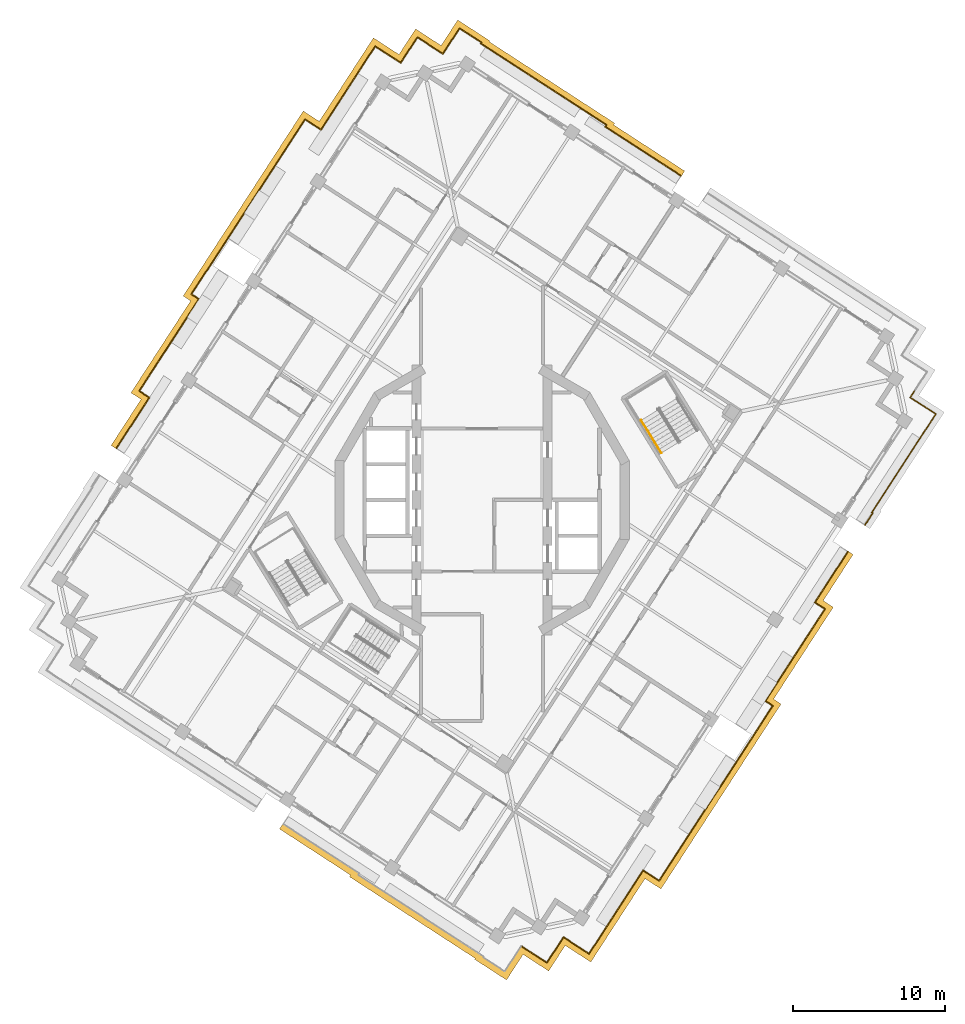
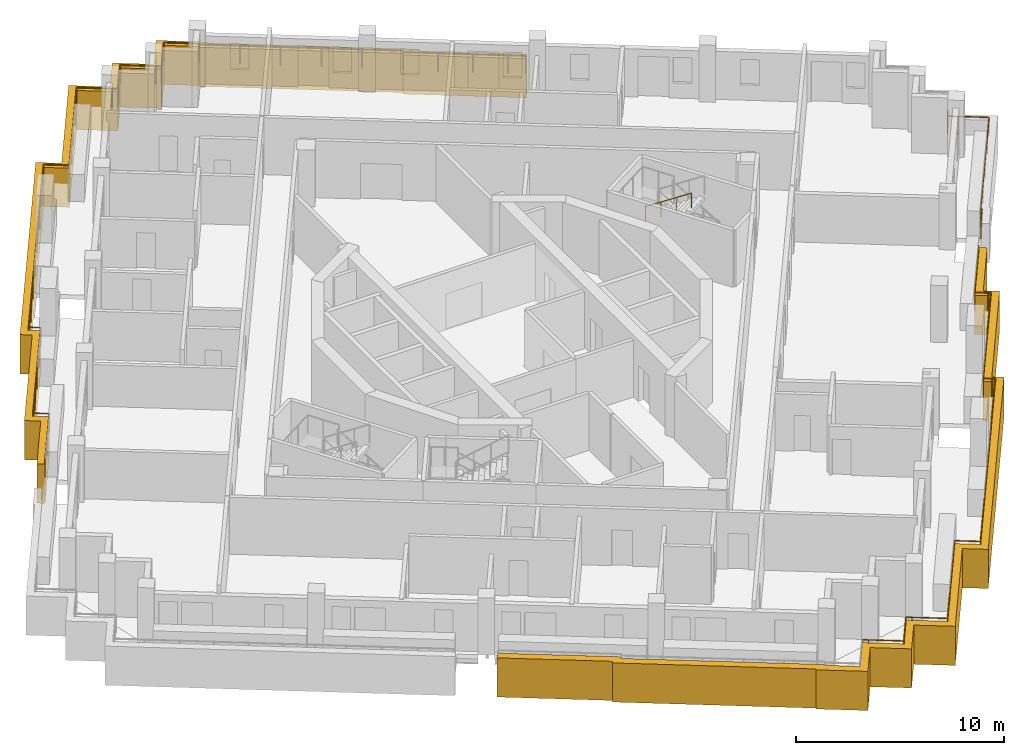
# One storey, part 13 of 15: 5 railings, 2 coverings.
"""IFC4 building model written with IfcOpenShell, lengths in metres."""

from ifc_helpers import new_model, si_unit, direction, frame, origin, origin_2d, place, context, subcontext, project, spatial, polyline, circle, outline, extrude, material, type_object, element, save


model = new_model("IFC4")

# Units and contexts
model_context = context("Model", 3, precision=1e-05, world=origin(), true_north=direction((0.0, 1.0)))
body_context = subcontext(model_context, "Body", "Model", "MODEL_VIEW")
ifc_project = project(units=[si_unit("LENGTHUNIT", "METRE"), si_unit("AREAUNIT", "SQUARE_METRE"), si_unit("VOLUMEUNIT", "CUBIC_METRE"), si_unit("PLANEANGLEUNIT", "RADIAN"), si_unit("MASSUNIT", "GRAM", prefix="KILO")], contexts=[model_context])

# Site, building, storey
site_placement = place(None, origin())
site = spatial("IfcSite", under=ifc_project, at=site_placement, CompositionType="ELEMENT")
building_placement = place(site_placement, origin())
building = spatial("IfcBuilding", under=site, at=building_placement, Name="Cantera Rosa Tower", CompositionType="ELEMENT")
storey_placement = place(building_placement, frame((0.0, 0.0, 261.300048828125)))
storey = spatial("IfcBuildingStorey", under=building, at=storey_placement, Name="L58", CompositionType="ELEMENT", Elevation=261.300048828125)

# Railings
ifc_material_1 = material(Name="Stainless steel and laminated glass", Category="steel")
railing_type_1 = type_object("IfcRailingType", Name="GUARD 1100", PredefinedType="BALUSTRADE", material=ifc_material_1)
railing_1_placement = place(storey_placement, frame((-5.338134765625, 28.68505859375, 0.0)))
element("IfcRailing", 1, at=railing_1_placement, inside=storey, type_object=railing_type_1, Name="GUARD L58-3", PredefinedType="BALUSTRADE", context=body_context, shape_type="SweptSolid", body=[
    extrude(circle(Radius=0.030029296875, at=origin_2d()), frame((0.0, 0.0, 1.070068359375), z_axis=(0.5443304008, 0.838870916629, 0.0), x_axis=(-0.838870916629, 0.5443304008, 0.0)), (0.0, 0.0, 1.0), 0.300048828125),
    extrude(circle(Radius=0.030029296875, at=origin_2d()), frame((0.163330078125, 0.251708984375, 1.070068359375), z_axis=(0.544685462014, 0.838640416073, 0.0), x_axis=(-0.838640416073, 0.544685462014, 0.0)), (0.0, 0.0, 1.0), 1.7001953125),
    extrude(circle(Radius=0.030029296875, at=origin_2d()), frame((1.08935546875, 1.677490234375, 1.070068359375), z_axis=(0.83859780397, -0.544751065329, 0.0), x_axis=(0.544751065329, 0.83859780397, 0.0)), (0.0, 0.0, 1.0), 1.699951171875),
    extrude(circle(Radius=0.030029296875, at=origin_2d()), frame((2.514892578125, 0.75146484375, 1.070068359375), z_axis=(0.838870916629, -0.5443304008, 0.0), x_axis=(0.5443304008, 0.838870916629, 0.0)), (0.0, 0.0, 1.0), 0.300048828125),
    extrude(circle(Radius=0.030029296875, at=origin_2d()), frame((2.7666015625, 0.588134765625, 1.070068359375), z_axis=(0.54468796124, 0.838638792855, 0.0), x_axis=(-0.838638792855, 0.54468796124, 0.0)), (0.0, 0.0, 1.0), 2.0),
    extrude(circle(Radius=0.030029296875, at=origin_2d()), frame((3.85595703125, 2.265380859375, 1.070068359375), z_axis=(0.838663412569, -0.54465005317, 0.0), x_axis=(0.54465005317, 0.838663412569, 0.0)), (0.0, 0.0, 1.0), 1.69970703125),
    extrude(circle(Radius=0.030029296875, at=origin_2d()), frame((5.281494140625, 1.339599609375, 1.070068359375), z_axis=(-0.54339569987, -0.839476690184, 0.0), x_axis=(0.839476690184, -0.54339569987, 0.0)), (0.0, 0.0, 1.0), 0.070068359375),
    extrude(circle(Radius=0.030029296875, at=origin_2d()), frame((5.243408203125, 1.28076171875, 1.070068359375), z_axis=(0.838672787013, -0.544635617935, 0.0), x_axis=(0.544635617935, 0.838672787013, 0.0)), (0.0, 0.0, 1.0), 9.830078125),
    extrude(circle(Radius=0.030029296875, at=origin_2d()), frame((13.487548828125, -4.072998046875, 1.070068359375), z_axis=(-0.545120486239, -0.83835771332, 0.0), x_axis=(0.83835771332, -0.545120486239, 0.0)), (0.0, 0.0, 1.0), 0.1298828125),
    extrude(circle(Radius=0.030029296875, at=origin_2d()), frame((13.416748046875, -4.181884765625, 1.070068359375), z_axis=(0.838664674471, -0.544648110062, 0.0), x_axis=(0.544648110062, 0.838664674471, 0.0)), (0.0, 0.0, 1.0), 5.0703125),
    extrude(circle(Radius=0.030029296875, at=origin_2d()), frame((17.6689453125, -6.943359375, 1.070068359375), z_axis=(0.838725681888, -0.544554157584, 0.0), x_axis=(0.544554157584, 0.838725681888, 0.0)), (0.0, 0.0, 1.0), 0.869873046875),
    extrude(circle(Radius=0.02490234375, at=origin_2d()), origin(), (0.0, 0.0, 1.0), 1.0400390625),
    extrude(circle(Radius=0.02490234375, at=origin_2d()), frame((0.163330078125, 0.251708984375, 0.0)), (0.0, 0.0, 1.0), 1.0400390625),
    extrude(circle(Radius=0.02490234375, at=origin_2d()), frame((1.08935546875, 1.677490234375, 0.0)), (0.0, 0.0, 1.0), 1.0400390625),
    extrude(circle(Radius=0.02490234375, at=origin_2d()), frame((2.514892578125, 0.75146484375, 0.0)), (0.0, 0.0, 1.0), 1.0400390625),
    extrude(circle(Radius=0.02490234375, at=origin_2d()), frame((2.7666015625, 0.588134765625, 0.0)), (0.0, 0.0, 1.0), 1.0400390625),
    extrude(circle(Radius=0.02490234375, at=origin_2d()), frame((3.85595703125, 2.265380859375, 0.0)), (0.0, 0.0, 1.0), 1.0400390625),
    extrude(circle(Radius=0.02490234375, at=origin_2d()), frame((5.281494140625, 1.339599609375, 0.0)), (0.0, 0.0, 1.0), 1.0400390625),
    extrude(circle(Radius=0.02490234375, at=origin_2d()), frame((5.243408203125, 1.28076171875, 0.0)), (0.0, 0.0, 1.0), 1.0400390625),
    extrude(circle(Radius=0.02490234375, at=origin_2d()), frame((6.892333984375, 0.2099609375, 0.0)), (0.0, 0.0, 1.0), 1.0400390625),
    extrude(circle(Radius=0.02490234375, at=origin_2d()), frame((8.541015625, -0.86083984375, 0.0)), (0.0, 0.0, 1.0), 1.0400390625),
    extrude(circle(Radius=0.02490234375, at=origin_2d()), frame((10.18994140625, -1.931396484375, 0.0)), (0.0, 0.0, 1.0), 1.0400390625),
    extrude(circle(Radius=0.02490234375, at=origin_2d()), frame((11.838623046875, -3.002197265625, 0.0)), (0.0, 0.0, 1.0), 1.0400390625),
    extrude(circle(Radius=0.02490234375, at=origin_2d()), frame((13.487548828125, -4.072998046875, 0.0)), (0.0, 0.0, 1.0), 1.0400390625),
    extrude(circle(Radius=0.02490234375, at=origin_2d()), frame((13.416748046875, -4.181884765625, 0.0)), (0.0, 0.0, 1.0), 1.0400390625),
    extrude(circle(Radius=0.02490234375, at=origin_2d()), frame((14.834228515625, -5.102294921875, 0.0)), (0.0, 0.0, 1.0), 1.0400390625),
    extrude(circle(Radius=0.02490234375, at=origin_2d()), frame((16.25146484375, -6.02294921875, 0.0)), (0.0, 0.0, 1.0), 1.0400390625),
    extrude(circle(Radius=0.02490234375, at=origin_2d()), frame((17.6689453125, -6.943359375, 0.0)), (0.0, 0.0, 1.0), 1.0400390625),
    extrude(circle(Radius=0.02490234375, at=origin_2d()), frame((18.3984375, -7.4169921875, 0.0)), (0.0, 0.0, 1.0), 1.0400390625),
])
railing_2_placement = place(storey_placement, frame((-24.00390625, 3.37841796875, 0.0)))
element("IfcRailing", 2, at=railing_2_placement, inside=storey, type_object=railing_type_1, Name="GUARD L58-4", PredefinedType="BALUSTRADE", context=body_context, shape_type="SweptSolid", body=[
    extrude(circle(Radius=0.030029296875, at=origin_2d()), frame((0.0, 0.0, 1.070068359375), z_axis=(0.544618301385, 0.838684032158, 0.0), x_axis=(-0.838684032158, 0.544618301385, 0.0)), (0.0, 0.0, 1.0), 3.9892578125),
    extrude(circle(Radius=0.030029296875, at=origin_2d()), frame((2.172607421875, 3.345703125, 1.070068359375), z_axis=(-0.838697885351, 0.54459696759, 0.0), x_axis=(-0.54459696759, -0.838697885351, 0.0)), (0.0, 0.0, 1.0), 0.78955078125),
    extrude(circle(Radius=0.030029296875, at=origin_2d()), frame((1.510498046875, 3.775634765625, 1.070068359375), z_axis=(0.544649472572, 0.838663789624, 0.0), x_axis=(-0.838663789624, 0.544649472572, 0.0)), (0.0, 0.0, 1.0), 7.192626953125),
    extrude(circle(Radius=0.030029296875, at=origin_2d()), frame((5.427978515625, 9.807861328125, 1.070068359375), z_axis=(-0.838766340753, 0.544491529429, 0.0), x_axis=(-0.544491529429, -0.838766340753, 0.0)), (0.0, 0.0, 1.0), 0.58740234375),
    extrude(circle(Radius=0.030029296875, at=origin_2d()), frame((4.935302734375, 10.127685546875, 1.070068359375), z_axis=(0.544641318497, 0.838669085031, 0.0), x_axis=(-0.838669085031, 0.544641318497, 0.0)), (0.0, 0.0, 1.0), 13.676513671875),
    extrude(circle(Radius=0.030029296875, at=origin_2d()), frame((12.384033203125, 21.59765625, 1.070068359375), z_axis=(0.838729508859, -0.544548263214, 0.0), x_axis=(0.544548263214, 0.838729508859, 0.0)), (0.0, 0.0, 1.0), 1.248046875),
    extrude(circle(Radius=0.030029296875, at=origin_2d()), frame((13.430908203125, 20.91796875, 1.070068359375), z_axis=(0.544643753579, 0.838667503655, 0.0), x_axis=(-0.838667503655, 0.544643753579, 0.0)), (0.0, 0.0, 1.0), 4.831787109375),
    extrude(circle(Radius=0.030029296875, at=origin_2d()), frame((16.0625, 24.97021484375, 1.070068359375), z_axis=(0.544584451758, 0.838706012202, 0.0), x_axis=(-0.838706012202, 0.544584451758, 0.0)), (0.0, 0.0, 1.0), 1.699951171875),
    extrude(circle(Radius=0.030029296875, at=origin_2d()), frame((16.98828125, 26.39599609375, 1.070068359375), z_axis=(0.838706012202, -0.544584451758, 0.0), x_axis=(0.544584451758, 0.838706012202, 0.0)), (0.0, 0.0, 1.0), 1.699951171875),
    extrude(circle(Radius=0.030029296875, at=origin_2d()), frame((18.4140625, 25.47021484375, 1.070068359375), z_axis=(0.838499355694, -0.544902588084, 0.0), x_axis=(0.544902588084, 0.838499355694, 0.0)), (0.0, 0.0, 1.0), 0.30029296875),
    extrude(circle(Radius=0.02490234375, at=origin_2d()), origin(), (0.0, 0.0, 1.0), 1.0400390625),
    extrude(circle(Radius=0.02490234375, at=origin_2d()), frame((1.08642578125, 1.6728515625, 0.0)), (0.0, 0.0, 1.0), 1.0400390625),
    extrude(circle(Radius=0.02490234375, at=origin_2d()), frame((2.172607421875, 3.345703125, 0.0)), (0.0, 0.0, 1.0), 1.0400390625),
    extrude(circle(Radius=0.02490234375, at=origin_2d()), frame((1.510498046875, 3.775634765625, 0.0)), (0.0, 0.0, 1.0), 1.0400390625),
    extrude(circle(Radius=0.02490234375, at=origin_2d()), frame((2.48974609375, 5.28369140625, 0.0)), (0.0, 0.0, 1.0), 1.0400390625),
    extrude(circle(Radius=0.02490234375, at=origin_2d()), frame((3.46923828125, 6.791748046875, 0.0)), (0.0, 0.0, 1.0), 1.0400390625),
    extrude(circle(Radius=0.02490234375, at=origin_2d()), frame((4.44873046875, 8.2998046875, 0.0)), (0.0, 0.0, 1.0), 1.0400390625),
    extrude(circle(Radius=0.02490234375, at=origin_2d()), frame((5.427978515625, 9.807861328125, 0.0)), (0.0, 0.0, 1.0), 1.0400390625),
    extrude(circle(Radius=0.02490234375, at=origin_2d()), frame((4.935302734375, 10.127685546875, 0.0)), (0.0, 0.0, 1.0), 1.0400390625),
    extrude(circle(Radius=0.02490234375, at=origin_2d()), frame((5.99951171875, 11.766357421875, 0.0)), (0.0, 0.0, 1.0), 1.0400390625),
    extrude(circle(Radius=0.02490234375, at=origin_2d()), frame((7.0634765625, 13.40478515625, 0.0)), (0.0, 0.0, 1.0), 1.0400390625),
    extrude(circle(Radius=0.02490234375, at=origin_2d()), frame((8.127685546875, 15.04345703125, 0.0)), (0.0, 0.0, 1.0), 1.0400390625),
    extrude(circle(Radius=0.02490234375, at=origin_2d()), frame((9.191650390625, 16.681884765625, 0.0)), (0.0, 0.0, 1.0), 1.0400390625),
    extrude(circle(Radius=0.02490234375, at=origin_2d()), frame((10.255859375, 18.320556640625, 0.0)), (0.0, 0.0, 1.0), 1.0400390625),
    extrude(circle(Radius=0.02490234375, at=origin_2d()), frame((11.31982421875, 19.958984375, 0.0)), (0.0, 0.0, 1.0), 1.0400390625),
    extrude(circle(Radius=0.02490234375, at=origin_2d()), frame((12.384033203125, 21.59765625, 0.0)), (0.0, 0.0, 1.0), 1.0400390625),
    extrude(circle(Radius=0.02490234375, at=origin_2d()), frame((13.430908203125, 20.91796875, 0.0)), (0.0, 0.0, 1.0), 1.0400390625),
    extrude(circle(Radius=0.02490234375, at=origin_2d()), frame((14.30810546875, 22.268798828125, 0.0)), (0.0, 0.0, 1.0), 1.0400390625),
    extrude(circle(Radius=0.02490234375, at=origin_2d()), frame((15.185302734375, 23.619384765625, 0.0)), (0.0, 0.0, 1.0), 1.0400390625),
    extrude(circle(Radius=0.02490234375, at=origin_2d()), frame((16.0625, 24.97021484375, 0.0)), (0.0, 0.0, 1.0), 1.0400390625),
    extrude(circle(Radius=0.02490234375, at=origin_2d()), frame((16.98828125, 26.39599609375, 0.0)), (0.0, 0.0, 1.0), 1.0400390625),
    extrude(circle(Radius=0.02490234375, at=origin_2d()), frame((18.4140625, 25.47021484375, 0.0)), (0.0, 0.0, 1.0), 1.0400390625),
    extrude(circle(Radius=0.02490234375, at=origin_2d()), frame((18.665771484375, 25.306640625, 0.0)), (0.0, 0.0, 1.0), 1.0400390625),
])
railing_3_placement = place(storey_placement, frame((24.00390625, -3.37841796875, 0.0)))
element("IfcRailing", 3, at=railing_3_placement, inside=storey, type_object=railing_type_1, Name="GUARD L58-6", PredefinedType="BALUSTRADE", context=body_context, shape_type="SweptSolid", body=[
    extrude(circle(Radius=0.030029296875, at=origin_2d()), frame((0.0, 0.0, 1.070068359375), z_axis=(-0.544489446314, -0.838767693019, 0.0), x_axis=(0.838767693019, -0.544489446314, 0.0)), (0.0, 0.0, 1.0), 0.65380859375),
    extrude(circle(Radius=0.030029296875, at=origin_2d()), frame((-0.35595703125, -0.54833984375, 1.070068359375), z_axis=(-0.544666356169, -0.838652824748, 0.0), x_axis=(0.838652824748, -0.544666356169, 0.0)), (0.0, 0.0, 1.0), 3.331787109375),
    extrude(circle(Radius=0.030029296875, at=origin_2d()), frame((-2.170654296875, -3.342529296875, 1.070068359375), z_axis=(-0.474099823035, -0.880471099922, 0.0), x_axis=(0.880471099922, -0.474099823035, 0.0)), (0.0, 0.0, 1.0), 0.003662109375),
    extrude(circle(Radius=0.030029296875, at=origin_2d()), frame((-2.17236328125, -3.345703125, 1.070068359375), z_axis=(0.832050294338, -0.554700196225, 0.0), x_axis=(0.554700196225, 0.832050294338, 0.0)), (0.0, 0.0, 1.0), 0.00341796875),
    extrude(circle(Radius=0.030029296875, at=origin_2d()), frame((-2.16943359375, -3.34765625, 1.070068359375), z_axis=(0.838610336772, -0.544731771664, 0.0), x_axis=(0.544731771664, 0.838610336772, 0.0)), (0.0, 0.0, 1.0), 0.635498046875),
    extrude(circle(Radius=0.030029296875, at=origin_2d()), frame((-1.636474609375, -3.69384765625, 1.070068359375), z_axis=(0.894427191, -0.4472135955, 0.0), x_axis=(0.4472135955, 0.894427191, 0.0)), (0.0, 0.0, 1.0), 0.00048828125),
    extrude(circle(Radius=0.030029296875, at=origin_2d()), frame((-1.635986328125, -3.694091796875, 1.070068359375), z_axis=(0.838518152069, -0.544873663018, 0.0), x_axis=(0.544873663018, 0.838518152069, 0.0)), (0.0, 0.0, 1.0), 0.149658203125),
    extrude(circle(Radius=0.030029296875, at=origin_2d()), frame((-1.510498046875, -3.775634765625, 1.070068359375), z_axis=(-0.544652904266, -0.838661560986, 0.0), x_axis=(0.838661560986, -0.544652904266, 0.0)), (0.0, 0.0, 1.0), 7.189453125),
    extrude(circle(Radius=0.030029296875, at=origin_2d()), frame((-5.42626953125, -9.80517578125, 1.070068359375), z_axis=(-0.478852130681, -0.877895572914, 0.0), x_axis=(0.877895572914, -0.478852130681, 0.0)), (0.0, 0.0, 1.0), 0.003173828125),
    extrude(circle(Radius=0.030029296875, at=origin_2d()), frame((-5.427734375, -9.807861328125, 1.070068359375), z_axis=(0.832050294338, -0.554700196225, 0.0), x_axis=(0.554700196225, 0.832050294338, 0.0)), (0.0, 0.0, 1.0), 0.00341796875),
    extrude(circle(Radius=0.030029296875, at=origin_2d()), frame((-5.4248046875, -9.809814453125, 1.070068359375), z_axis=(0.838405020934, -0.545047723482, 0.0), x_axis=(0.545047723482, 0.838405020934, 0.0)), (0.0, 0.0, 1.0), 0.43359375),
    extrude(circle(Radius=0.030029296875, at=origin_2d()), frame((-5.061279296875, -10.046142578125, 1.070068359375), z_axis=(1.0, 0.0, 0.0), x_axis=(0.0, 1.0, 0.0)), (0.0, 0.0, 1.0), 0.000244140625),
    extrude(circle(Radius=0.030029296875, at=origin_2d()), frame((-5.06103515625, -10.046142578125, 1.070068359375), z_axis=(0.839001489467, -0.544129121324, 0.0), x_axis=(0.544129121324, 0.839001489467, 0.0)), (0.0, 0.0, 1.0), 0.14990234375),
    extrude(circle(Radius=0.030029296875, at=origin_2d()), frame((-4.935302734375, -10.127685546875, 1.070068359375), z_axis=(-0.545274379459, -0.838257628123, 0.0), x_axis=(0.838257628123, -0.545274379459, 0.0)), (0.0, 0.0, 1.0), 0.14990234375),
    extrude(circle(Radius=0.030029296875, at=origin_2d()), frame((-5.01708984375, -10.25341796875, 1.070068359375), z_axis=(0.0, -1.0, 0.0), x_axis=(1.0, 0.0, 0.0)), (0.0, 0.0, 1.0), 0.000244140625),
    extrude(circle(Radius=0.030029296875, at=origin_2d()), frame((-5.01708984375, -10.253662109375, 1.070068359375), z_axis=(-0.544619598436, -0.838683189887, 0.0), x_axis=(0.838683189887, -0.544619598436, 0.0)), (0.0, 0.0, 1.0), 2.048095703125),
    extrude(circle(Radius=0.030029296875, at=origin_2d()), frame((-6.132568359375, -11.971435546875, 1.070068359375), z_axis=(-0.707106781187, -0.707106781187, 0.0), x_axis=(0.707106781187, -0.707106781187, 0.0)), (0.0, 0.0, 1.0), 0.000244140625),
    extrude(circle(Radius=0.030029296875, at=origin_2d()), frame((-6.1328125, -11.9716796875, 1.070068359375), z_axis=(-0.544641390148, -0.838669038499, 0.0), x_axis=(0.838669038499, -0.544641390148, 0.0)), (0.0, 0.0, 1.0), 11.477783203125),
    extrude(circle(Radius=0.030029296875, at=origin_2d()), frame((-12.384033203125, -21.59765625, 1.070068359375), z_axis=(-0.838729508859, 0.544548263214, 0.0), x_axis=(-0.544548263214, -0.838729508859, 0.0)), (0.0, 0.0, 1.0), 1.248046875),
    extrude(circle(Radius=0.030029296875, at=origin_2d()), frame((-13.430908203125, -20.91796875, 1.070068359375), z_axis=(-0.544643753579, -0.838667503655, 0.0), x_axis=(0.838667503655, -0.544643753579, 0.0)), (0.0, 0.0, 1.0), 4.831787109375),
    extrude(circle(Radius=0.030029296875, at=origin_2d()), frame((-16.0625, -24.97021484375, 1.070068359375), z_axis=(-0.544584451758, -0.838706012202, 0.0), x_axis=(0.838706012202, -0.544584451758, 0.0)), (0.0, 0.0, 1.0), 1.699951171875),
    extrude(circle(Radius=0.030029296875, at=origin_2d()), frame((-16.98828125, -26.39599609375, 1.070068359375), z_axis=(-0.838706012202, 0.544584451758, 0.0), x_axis=(-0.544584451758, -0.838706012202, 0.0)), (0.0, 0.0, 1.0), 1.699951171875),
    extrude(circle(Radius=0.030029296875, at=origin_2d()), frame((-18.4140625, -25.47021484375, 1.070068359375), z_axis=(-0.838499355694, 0.544902588084, 0.0), x_axis=(-0.544902588084, -0.838499355694, 0.0)), (0.0, 0.0, 1.0), 0.30029296875),
    extrude(circle(Radius=0.030029296875, at=origin_2d()), frame((-18.665771484375, -25.306640625, 1.070068359375), z_axis=(-0.5443304008, -0.838870916629, 0.0), x_axis=(0.838870916629, -0.5443304008, 0.0)), (0.0, 0.0, 1.0), 0.300048828125),
    extrude(circle(Radius=0.030029296875, at=origin_2d()), frame((-18.8291015625, -25.558349609375, 1.070068359375), z_axis=(-0.544685462014, -0.838640416073, 0.0), x_axis=(0.838640416073, -0.544685462014, 0.0)), (0.0, 0.0, 1.0), 1.7001953125),
    extrude(circle(Radius=0.030029296875, at=origin_2d()), frame((-19.755126953125, -26.984130859375, 1.070068359375), z_axis=(-0.83859780397, 0.544751065329, 0.0), x_axis=(-0.544751065329, -0.83859780397, 0.0)), (0.0, 0.0, 1.0), 1.699951171875),
    extrude(circle(Radius=0.030029296875, at=origin_2d()), frame((-21.1806640625, -26.05810546875, 1.070068359375), z_axis=(-0.838870916629, 0.5443304008, 0.0), x_axis=(-0.5443304008, -0.838870916629, 0.0)), (0.0, 0.0, 1.0), 0.300048828125),
    extrude(circle(Radius=0.02490234375, at=origin_2d()), origin(), (0.0, 0.0, 1.0), 1.0400390625),
    extrude(circle(Radius=0.02490234375, at=origin_2d()), frame((-0.35595703125, -0.54833984375, 0.0)), (0.0, 0.0, 1.0), 1.0400390625),
    extrude(circle(Radius=0.02490234375, at=origin_2d()), frame((-1.26318359375, -1.9453125, 0.0)), (0.0, 0.0, 1.0), 1.0400390625),
    extrude(circle(Radius=0.02490234375, at=origin_2d()), frame((-2.170654296875, -3.342529296875, 0.0)), (0.0, 0.0, 1.0), 1.0400390625),
    extrude(circle(Radius=0.02490234375, at=origin_2d()), frame((-2.17236328125, -3.345703125, 0.0)), (0.0, 0.0, 1.0), 1.0400390625),
    extrude(circle(Radius=0.02490234375, at=origin_2d()), frame((-2.16943359375, -3.34765625, 0.0)), (0.0, 0.0, 1.0), 1.0400390625),
    extrude(circle(Radius=0.02490234375, at=origin_2d()), frame((-1.636474609375, -3.69384765625, 0.0)), (0.0, 0.0, 1.0), 1.0400390625),
    extrude(circle(Radius=0.02490234375, at=origin_2d()), frame((-1.635986328125, -3.694091796875, 0.0)), (0.0, 0.0, 1.0), 1.0400390625),
    extrude(circle(Radius=0.02490234375, at=origin_2d()), frame((-1.510498046875, -3.775634765625, 0.0)), (0.0, 0.0, 1.0), 1.0400390625),
    extrude(circle(Radius=0.02490234375, at=origin_2d()), frame((-2.489501953125, -5.282958984375, 0.0)), (0.0, 0.0, 1.0), 1.0400390625),
    extrude(circle(Radius=0.02490234375, at=origin_2d()), frame((-3.46826171875, -6.79052734375, 0.0)), (0.0, 0.0, 1.0), 1.0400390625),
    extrude(circle(Radius=0.02490234375, at=origin_2d()), frame((-4.447265625, -8.2978515625, 0.0)), (0.0, 0.0, 1.0), 1.0400390625),
    extrude(circle(Radius=0.02490234375, at=origin_2d()), frame((-5.42626953125, -9.80517578125, 0.0)), (0.0, 0.0, 1.0), 1.0400390625),
    extrude(circle(Radius=0.02490234375, at=origin_2d()), frame((-5.427734375, -9.807861328125, 0.0)), (0.0, 0.0, 1.0), 1.0400390625),
    extrude(circle(Radius=0.02490234375, at=origin_2d()), frame((-5.4248046875, -9.809814453125, 0.0)), (0.0, 0.0, 1.0), 1.0400390625),
    extrude(circle(Radius=0.02490234375, at=origin_2d()), frame((-5.061279296875, -10.046142578125, 0.0)), (0.0, 0.0, 1.0), 1.0400390625),
    extrude(circle(Radius=0.02490234375, at=origin_2d()), frame((-5.06103515625, -10.046142578125, 0.0)), (0.0, 0.0, 1.0), 1.0400390625),
    extrude(circle(Radius=0.02490234375, at=origin_2d()), frame((-4.935302734375, -10.127685546875, 0.0)), (0.0, 0.0, 1.0), 1.0400390625),
    extrude(circle(Radius=0.02490234375, at=origin_2d()), frame((-5.01708984375, -10.25341796875, 0.0)), (0.0, 0.0, 1.0), 1.0400390625),
    extrude(circle(Radius=0.02490234375, at=origin_2d()), frame((-5.01708984375, -10.253662109375, 0.0)), (0.0, 0.0, 1.0), 1.0400390625),
    extrude(circle(Radius=0.02490234375, at=origin_2d()), frame((-6.132568359375, -11.971435546875, 0.0)), (0.0, 0.0, 1.0), 1.0400390625),
    extrude(circle(Radius=0.02490234375, at=origin_2d()), frame((-6.1328125, -11.9716796875, 0.0)), (0.0, 0.0, 1.0), 1.0400390625),
    extrude(circle(Radius=0.02490234375, at=origin_2d()), frame((-7.1748046875, -13.575927734375, 0.0)), (0.0, 0.0, 1.0), 1.0400390625),
    extrude(circle(Radius=0.02490234375, at=origin_2d()), frame((-8.216552734375, -15.180419921875, 0.0)), (0.0, 0.0, 1.0), 1.0400390625),
    extrude(circle(Radius=0.02490234375, at=origin_2d()), frame((-9.25830078125, -16.78466796875, 0.0)), (0.0, 0.0, 1.0), 1.0400390625),
    extrude(circle(Radius=0.02490234375, at=origin_2d()), frame((-10.30029296875, -18.388916015625, 0.0)), (0.0, 0.0, 1.0), 1.0400390625),
    extrude(circle(Radius=0.02490234375, at=origin_2d()), frame((-11.34228515625, -19.993408203125, 0.0)), (0.0, 0.0, 1.0), 1.0400390625),
    extrude(circle(Radius=0.02490234375, at=origin_2d()), frame((-12.384033203125, -21.59765625, 0.0)), (0.0, 0.0, 1.0), 1.0400390625),
    extrude(circle(Radius=0.02490234375, at=origin_2d()), frame((-13.430908203125, -20.91796875, 0.0)), (0.0, 0.0, 1.0), 1.0400390625),
    extrude(circle(Radius=0.02490234375, at=origin_2d()), frame((-14.30810546875, -22.268798828125, 0.0)), (0.0, 0.0, 1.0), 1.0400390625),
    extrude(circle(Radius=0.02490234375, at=origin_2d()), frame((-15.185302734375, -23.619384765625, 0.0)), (0.0, 0.0, 1.0), 1.0400390625),
    extrude(circle(Radius=0.02490234375, at=origin_2d()), frame((-16.0625, -24.97021484375, 0.0)), (0.0, 0.0, 1.0), 1.0400390625),
    extrude(circle(Radius=0.02490234375, at=origin_2d()), frame((-16.98828125, -26.39599609375, 0.0)), (0.0, 0.0, 1.0), 1.0400390625),
    extrude(circle(Radius=0.02490234375, at=origin_2d()), frame((-18.4140625, -25.47021484375, 0.0)), (0.0, 0.0, 1.0), 1.0400390625),
    extrude(circle(Radius=0.02490234375, at=origin_2d()), frame((-18.665771484375, -25.306640625, 0.0)), (0.0, 0.0, 1.0), 1.0400390625),
    extrude(circle(Radius=0.02490234375, at=origin_2d()), frame((-18.8291015625, -25.558349609375, 0.0)), (0.0, 0.0, 1.0), 1.0400390625),
    extrude(circle(Radius=0.02490234375, at=origin_2d()), frame((-19.755126953125, -26.984130859375, 0.0)), (0.0, 0.0, 1.0), 1.0400390625),
    extrude(circle(Radius=0.02490234375, at=origin_2d()), frame((-21.1806640625, -26.05810546875, 0.0)), (0.0, 0.0, 1.0), 1.0400390625),
    extrude(circle(Radius=0.02490234375, at=origin_2d()), frame((-21.432373046875, -25.894775390625, 0.0)), (0.0, 0.0, 1.0), 1.0400390625),
])
railing_4_placement = place(storey_placement, frame((28.3720703125, 7.151123046875, 0.0)))
element("IfcRailing", 4, at=railing_4_placement, inside=storey, type_object=railing_type_1, Name="GUARD L58-7", PredefinedType="BALUSTRADE", context=body_context, shape_type="SweptSolid", body=[
    extrude(circle(Radius=0.030029296875, at=origin_2d()), frame((0.0, 0.0, 1.070068359375), z_axis=(-0.544627753175, -0.83867789435, 0.0), x_axis=(0.83867789435, -0.544627753175, 0.0)), (0.0, 0.0, 1.0), 0.499755859375),
    extrude(circle(Radius=0.030029296875, at=origin_2d()), frame((-0.272216796875, -0.419189453125, 1.070068359375), z_axis=(0.838454772945, -0.544971186143, 0.0), x_axis=(0.544971186143, 0.838454772945, 0.0)), (0.0, 0.0, 1.0), 0.5),
    extrude(circle(Radius=0.030029296875, at=origin_2d()), frame((0.14697265625, -0.691650390625, 1.070068359375), z_axis=(0.8387001057, -0.544593548161, 0.0), x_axis=(0.544593548161, 0.8387001057, 0.0)), (0.0, 0.0, 1.0), 1.5),
    extrude(circle(Radius=0.030029296875, at=origin_2d()), frame((1.405029296875, -1.508544921875, 1.070068359375), z_axis=(-0.544593548161, -0.8387001057, 0.0), x_axis=(0.8387001057, -0.544593548161, 0.0)), (0.0, 0.0, 1.0), 1.5),
    extrude(circle(Radius=0.030029296875, at=origin_2d()), frame((0.588134765625, -2.7666015625, 1.070068359375), z_axis=(-0.544651062083, -0.838662757354, 0.0), x_axis=(0.838662757354, -0.544651062083, 0.0)), (0.0, 0.0, 1.0), 6.208740234375),
    extrude(circle(Radius=0.030029296875, at=origin_2d()), frame((-2.79345703125, -7.9736328125, 1.070068359375), z_axis=(0.839844835389, -0.542826539947, 0.0), x_axis=(0.542826539947, 0.839844835389, 0.0)), (0.0, 0.0, 1.0), 0.071533203125),
    extrude(circle(Radius=0.030029296875, at=origin_2d()), frame((-2.7333984375, -8.012451171875, 1.070068359375), z_axis=(-0.544605442853, -0.838692381994, 0.0), x_axis=(0.838692381994, -0.544605442853, 0.0)), (0.0, 0.0, 1.0), 0.94140625),
    extrude(circle(Radius=0.02490234375, at=origin_2d()), origin(), (0.0, 0.0, 1.0), 1.0400390625),
    extrude(circle(Radius=0.02490234375, at=origin_2d()), frame((-0.272216796875, -0.419189453125, 0.0)), (0.0, 0.0, 1.0), 1.0400390625),
    extrude(circle(Radius=0.02490234375, at=origin_2d()), frame((0.14697265625, -0.691650390625, 0.0)), (0.0, 0.0, 1.0), 1.0400390625),
    extrude(circle(Radius=0.02490234375, at=origin_2d()), frame((1.405029296875, -1.508544921875, 0.0)), (0.0, 0.0, 1.0), 1.0400390625),
    extrude(circle(Radius=0.02490234375, at=origin_2d()), frame((0.588134765625, -2.7666015625, 0.0)), (0.0, 0.0, 1.0), 1.0400390625),
    extrude(circle(Radius=0.02490234375, at=origin_2d()), frame((-0.5390625, -4.502197265625, 0.0)), (0.0, 0.0, 1.0), 1.0400390625),
    extrude(circle(Radius=0.02490234375, at=origin_2d()), frame((-1.666259765625, -6.238037109375, 0.0)), (0.0, 0.0, 1.0), 1.0400390625),
    extrude(circle(Radius=0.02490234375, at=origin_2d()), frame((-2.79345703125, -7.9736328125, 0.0)), (0.0, 0.0, 1.0), 1.0400390625),
    extrude(circle(Radius=0.02490234375, at=origin_2d()), frame((-2.7333984375, -8.012451171875, 0.0)), (0.0, 0.0, 1.0), 1.0400390625),
    extrude(circle(Radius=0.02490234375, at=origin_2d()), frame((-3.24609375, -8.802001953125, 0.0)), (0.0, 0.0, 1.0), 1.0400390625),
])
ifc_material_2 = material(Name="Steel S355J2 (EN 10025-2)", Category="steel")
railing_type_2 = type_object("IfcRailingType", Name="STAIR HANDRAIL 900", PredefinedType="HANDRAIL", material=ifc_material_2)
railing_5_placement = place(storey_placement, frame((10.441650390625, 5.2314453125, 1.97998046875)))
element("IfcRailing", 5, at=railing_5_placement, inside=storey, type_object=railing_type_2, Name="L58 ST-51 stair handrail 2", PredefinedType="HANDRAIL", context=body_context, shape_type="SweptSolid", body=[
    extrude(circle(Radius=0.02392578125, at=origin_2d()), frame((0.0, 0.0, 0.8759765625), z_axis=(0.441628529057, -0.715945124149, 0.540728047664), x_axis=(0.851102330005, 0.524999832248, 0.0)), (0.0, 0.0, 1.0), 2.99560546875),
    extrude(circle(Radius=0.02099609375, at=origin_2d()), origin(), (0.0, 0.0, 1.0), 0.851806640625),
    extrude(circle(Radius=0.02099609375, at=origin_2d()), frame((0.44091796875, -0.71484375, 0.5400390625)), (0.0, 0.0, 1.0), 0.851806640625),
    extrude(circle(Radius=0.02099609375, at=origin_2d()), frame((0.882080078125, -1.429931640625, 1.079833984375)), (0.0, 0.0, 1.0), 0.851806640625),
    extrude(circle(Radius=0.02099609375, at=origin_2d()), frame((1.322998046875, -2.144775390625, 1.619873046875)), (0.0, 0.0, 1.0), 0.851806640625),
])

# Coverings
ifc_material_3 = material(Name="Cantera stone", Category="masonry")
covering_type = type_object("IfcCoveringType", Name="TRAY FASCIA 400", PredefinedType="CLADDING", material=ifc_material_3)
covering_1_placement = place(storey_placement, frame((0.0, 0.0, -1.400146484375)))
element("IfcCovering", 6, at=covering_1_placement, inside=storey, type_object=covering_type, Name="TRAY FASCIA L58-02", PredefinedType="CLADDING", context=body_context, shape_type="SweptSolid", body=[
    extrude(outline(polyline([(-22.384521484375, 6.6064453125), (-23.046630859375, 7.036376953125), (-19.129150390625, 13.068603515625), (-19.621826171875, 13.388671875), (-11.7373046875, 25.529541015625), (-10.690673828125, 24.849609375), (-8.27685546875, 28.56640625), (-7.133056640625, 30.32763671875), (-5.455810546875, 29.238525390625), (-4.366455078125, 30.915771484375), (-2.689208984375, 29.826416015625), (-1.599853515625, 31.50390625), (0.496826171875, 30.142333984375), (0.458740234375, 30.08349609375), (8.70263671875, 24.729736328125), (8.632080078125, 24.620849609375), (12.548583984375, 22.0771484375), (13.294921875, 21.592529296875), (13.0771484375, 21.257080078125), (12.330810546875, 21.74169921875), (8.07861328125, 24.503173828125), (8.1494140625, 24.612060546875), (-0.0947265625, 29.9658203125), (-0.056640625, 30.024658203125), (-1.482177734375, 30.950439453125), (-2.571533203125, 29.273193359375), (-2.8232421875, 29.4365234375), (-4.248779296875, 30.362548828125), (-5.1748046875, 28.936767578125), (-5.338134765625, 28.68505859375), (-5.58984375, 28.8486328125), (-7.015625, 29.7744140625), (-7.94140625, 28.3486328125), (-10.572998046875, 24.29638671875), (-11.619873046875, 24.97607421875), (-19.068603515625, 13.506103515625), (-18.575927734375, 13.186279296875), (-22.493408203125, 7.154052734375), (-21.831298828125, 6.72412109375), (-24.014892578125, 3.36181640625), (-24.350341796875, 3.57958984375), (-22.384521484375, 6.6064453125)])), origin(), (0.0, 0.0, 1.0), 2.300048828125),
])
covering_2_placement = place(storey_placement, frame((0.0, 0.0, -1.400146484375)))
element("IfcCovering", 7, at=covering_2_placement, inside=storey, type_object=covering_type, Name="TRAY FASCIA L58-03", PredefinedType="CLADDING", context=body_context, shape_type="SweptSolid", body=[
    extrude(outline(polyline([(22.384521484375, -6.6064453125), (23.046630859375, -7.036376953125), (19.129150390625, -13.068603515625), (19.621826171875, -13.388671875), (11.7373046875, -25.529541015625), (10.690673828125, -24.849609375), (8.27685546875, -28.56640625), (7.133056640625, -30.32763671875), (5.455810546875, -29.238525390625), (4.366455078125, -30.915771484375), (2.689208984375, -29.826416015625), (1.599853515625, -31.50390625), (-0.496826171875, -30.142333984375), (-0.458740234375, -30.08349609375), (-8.70263671875, -24.729736328125), (-8.632080078125, -24.620849609375), (-12.548583984375, -22.0771484375), (-13.294921875, -21.592529296875), (-13.0771484375, -21.257080078125), (-12.330810546875, -21.74169921875), (-8.07861328125, -24.503173828125), (-8.1494140625, -24.612060546875), (0.0947265625, -29.9658203125), (0.056640625, -30.024658203125), (1.482177734375, -30.950439453125), (2.571533203125, -29.273193359375), (2.8232421875, -29.4365234375), (4.248779296875, -30.362548828125), (5.1748046875, -28.936767578125), (5.338134765625, -28.68505859375), (5.58984375, -28.8486328125), (7.015625, -29.7744140625), (7.94140625, -28.3486328125), (10.572998046875, -24.29638671875), (11.619873046875, -24.97607421875), (19.068603515625, -13.506103515625), (18.575927734375, -13.186279296875), (22.493408203125, -7.154052734375), (21.831298828125, -6.72412109375), (24.014892578125, -3.36181640625), (24.350341796875, -3.57958984375), (22.384521484375, -6.6064453125)])), origin(), (0.0, 0.0, 1.0), 2.300048828125),
])

save(model, "model.ifc")
